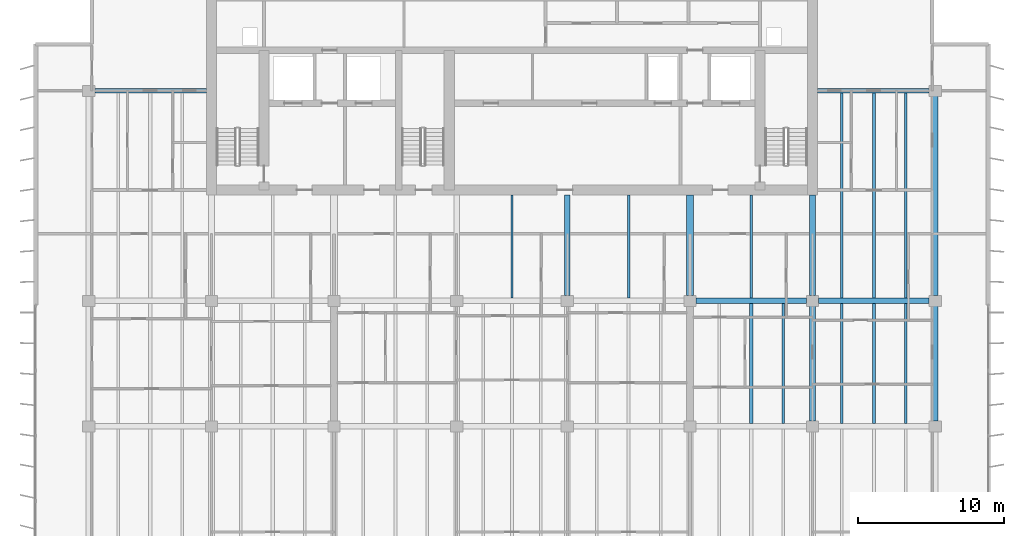
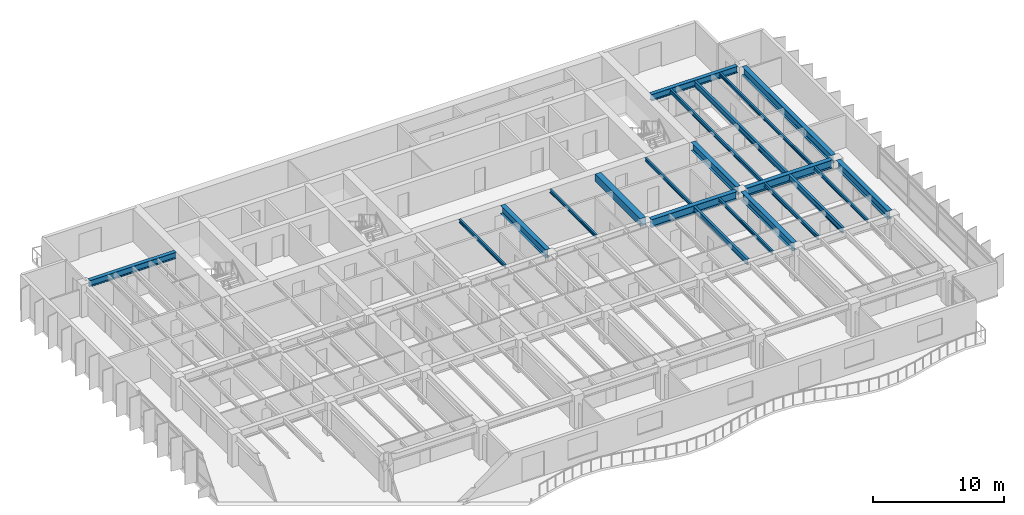
# One storey, part 5 of 17: 21 beams.
"""IFC4 building model written with IfcOpenShell, lengths in metres."""

from ifc_helpers import new_model, si_unit, direction, frame, origin, origin_2d, place, context, subcontext, project, spatial, rectangle, i_section, extrude, material, material_profile, profile_set, type_object, element, save


model = new_model("IFC4")

# Units and contexts
model_context = context("Model", 3, precision=1e-05, world=origin(), true_north=direction((0.0, 1.0)))
body_context = subcontext(model_context, "Body", "Model", "MODEL_VIEW")
ifc_project = project(units=[si_unit("LENGTHUNIT", "METRE"), si_unit("AREAUNIT", "SQUARE_METRE"), si_unit("VOLUMEUNIT", "CUBIC_METRE"), si_unit("PLANEANGLEUNIT", "RADIAN"), si_unit("MASSUNIT", "GRAM", prefix="KILO")], contexts=[model_context])

# Site, building, storey
site_placement = place(None, origin())
site = spatial("IfcSite", under=ifc_project, at=site_placement, CompositionType="ELEMENT")
building_placement = place(site_placement, origin())
building = spatial("IfcBuilding", under=site, at=building_placement, Name="Caelmar Bay Residences", CompositionType="ELEMENT")
storey_placement = place(building_placement, frame((0.0, 0.0, 204.89990234375)))
storey = spatial("IfcBuildingStorey", under=building, at=storey_placement, Name="L57", CompositionType="ELEMENT", Elevation=204.89990234375)

# Beams
ifc_material_1 = material(Name="Steel ASTM A992 Grade 50", Category="steel")
ifc_material_profile_1 = material_profile(ifc_material_1, i_section(OverallWidth=0.381103515625, OverallDepth=0.77197265625, WebThickness=0.0166015625, FlangeThickness=0.027099609375, FilletRadius=0.0166015625, at=origin_2d()), Name="W30X173")
ifc_profile_set_1 = profile_set([ifc_material_profile_1], Name="Steel ASTM A992 Grade 50")
beam_type_1 = type_object("IfcBeamType", Name="BM-GRD-W30X173", PredefinedType="BEAM", material=ifc_profile_set_1)
for number, where, z_axis, x_axis, name in (
    (1, (51.514892578125, 29.39990234375, 2.6640625), (1.0, 0.0, 0.0), (0.0, 1.0, 0.0), "L57 East-West Girder Y=29.40 (51.1-59.5)"),
    (2, (59.9150390625, 29.39990234375, 2.6640625), (1.0, 0.0, 0.0), (0.0, 1.0, 0.0), "L57 East-West Girder Y=29.40 (59.5-67.9)"),
):
    element("IfcBeam", number, at=place(storey_placement, frame(where, z_axis=z_axis, x_axis=x_axis)), inside=storey, type_object=beam_type_1, Name=name, PredefinedType="BEAM", context=body_context, shape_type="SweptSolid", body=[
        extrude(i_section(OverallWidth=0.381103515625, OverallDepth=0.77197265625, WebThickness=0.0166015625, FlangeThickness=0.027099609375, FilletRadius=0.0166015625, at=origin_2d()), origin(), (0.0, 0.0, 1.0), 7.570068359375),
    ])
for number, where, z_axis, x_axis, name in (
    (3, (42.699951171875, 29.764892578125, 2.6640625), (0.0, 1.0, 0.0), (-1.0, 0.0, 0.0), "L57 Core Tie Girder X=42.70"),
    (4, (59.5, 29.764892578125, 2.6640625), (0.0, 1.0, 0.0), (-1.0, 0.0, 0.0), "L57 Core Tie Girder X=59.50"),
):
    element("IfcBeam", number, at=place(storey_placement, frame(where, z_axis=z_axis, x_axis=x_axis)), inside=storey, type_object=beam_type_1, Name=name, PredefinedType="BEAM", context=body_context, shape_type="SweptSolid", body=[
        extrude(i_section(OverallWidth=0.381103515625, OverallDepth=0.77197265625, WebThickness=0.0166015625, FlangeThickness=0.027099609375, FilletRadius=0.0166015625, at=origin_2d()), origin(), (0.0, 0.0, 1.0), 6.885009765625),
    ])
for number, where, z_axis, x_axis, name in (
    (5, (59.5, 21.1650390625, 2.6640625), (0.0, 1.0, 0.0), (-1.0, 0.0, 0.0), "L57 North-South Girder X=59.50 (20.8-29.4)"),
    (6, (67.89990234375, 21.1650390625, 2.6640625), (0.0, 1.0, 0.0), (-1.0, 0.0, 0.0), "L57 North-South Girder X=67.90 (20.8-29.4)"),
):
    element("IfcBeam", number, at=place(storey_placement, frame(where, z_axis=z_axis, x_axis=x_axis)), inside=storey, type_object=beam_type_1, Name=name, PredefinedType="BEAM", context=body_context, shape_type="SweptSolid", body=[
        extrude(i_section(OverallWidth=0.381103515625, OverallDepth=0.77197265625, WebThickness=0.0166015625, FlangeThickness=0.027099609375, FilletRadius=0.0166015625, at=origin_2d()), origin(), (0.0, 0.0, 1.0), 7.869873046875),
    ])
beam_1_placement = place(storey_placement, frame((67.89990234375, 29.764892578125, 2.6640625), z_axis=(0.0, 1.0, 0.0), x_axis=(-1.0, 0.0, 0.0)))
element("IfcBeam", 7, at=beam_1_placement, inside=storey, type_object=beam_type_1, Name="L57 North-South Girder X=67.90 (29.4-43.8)", PredefinedType="BEAM", context=body_context, shape_type="SweptSolid", body=[
    extrude(i_section(OverallWidth=0.381103515625, OverallDepth=0.77197265625, WebThickness=0.0166015625, FlangeThickness=0.027099609375, FilletRadius=0.0166015625, at=origin_2d()), origin(), (0.0, 0.0, 1.0), 13.670166015625),
])
ifc_material_profile_2 = material_profile(ifc_material_1, i_section(OverallWidth=0.1650390625, OverallDepth=0.31005859375, WebThickness=0.005859375, FlangeThickness=0.009765625, FilletRadius=0.007568359375, at=origin_2d()), Name="W12X26")
ifc_profile_set_2 = profile_set([ifc_material_profile_2], Name="Steel ASTM A992 Grade 50")
beam_type_2 = type_object("IfcBeamType", Name="BM-JST-W12X26", PredefinedType="JOIST", material=ifc_profile_set_2)
for number, where, z_axis, x_axis, name in (
    (8, (57.48388671875, 20.990478515625, 2.89501953125), (0.0, 1.0, 0.0), (-1.0, 0.0, 0.0), "L57 Composite Floor Joist 39"),
    (9, (65.884033203125, 20.990478515625, 2.89501953125), (0.0, 1.0, 0.0), (-1.0, 0.0, 0.0), "L57 Composite Floor Joist 42"),
):
    element("IfcBeam", number, at=place(storey_placement, frame(where, z_axis=z_axis, x_axis=x_axis)), inside=storey, type_object=beam_type_2, Name=name, PredefinedType="JOIST", context=body_context, shape_type="SweptSolid", body=[
        extrude(i_section(OverallWidth=0.1650390625, OverallDepth=0.31005859375, WebThickness=0.005859375, FlangeThickness=0.009765625, FilletRadius=0.007568359375, at=origin_2d()), origin(), (0.0, 0.0, 1.0), 8.218994140625),
    ])
for number, where, z_axis, x_axis, name in (
    (10, (38.89990234375, 29.590576171875, 2.89501953125), (0.0, 1.0, 0.0), (-1.0, 0.0, 0.0), "L57 Core-Band Composite Joist 45"),
    (11, (46.89990234375, 29.590576171875, 2.89501953125), (0.0, 1.0, 0.0), (-1.0, 0.0, 0.0), "L57 Core-Band Composite Joist 46"),
    (12, (55.300048828125, 29.590576171875, 2.89501953125), (0.0, 1.0, 0.0), (-1.0, 0.0, 0.0), "L57 Core-Band Composite Joist 47"),
):
    element("IfcBeam", number, at=place(storey_placement, frame(where, z_axis=z_axis, x_axis=x_axis)), inside=storey, type_object=beam_type_2, Name=name, PredefinedType="JOIST", context=body_context, shape_type="SweptSolid", body=[
        extrude(i_section(OverallWidth=0.1650390625, OverallDepth=0.31005859375, WebThickness=0.005859375, FlangeThickness=0.009765625, FilletRadius=0.007568359375, at=origin_2d()), origin(), (0.0, 0.0, 1.0), 7.059326171875),
    ])
beam_2_placement = place(storey_placement, frame((65.884033203125, 29.590576171875, 2.89501953125), z_axis=(0.0, 1.0, 0.0), x_axis=(-1.0, 0.0, 0.0)))
element("IfcBeam", 13, at=beam_2_placement, inside=storey, type_object=beam_type_2, Name="L57 Composite Floor Joist 53", PredefinedType="JOIST", context=body_context, shape_type="SweptSolid", body=[
    extrude(i_section(OverallWidth=0.1650390625, OverallDepth=0.31005859375, WebThickness=0.005859375, FlangeThickness=0.009765625, FilletRadius=0.007568359375, at=origin_2d()), origin(), (0.0, 0.0, 1.0), 14.046875),
])
ifc_material_profile_3 = material_profile(ifc_material_1, i_section(OverallWidth=0.1708984375, OverallDepth=0.35595703125, WebThickness=0.007080078125, FlangeThickness=0.01171875, FilletRadius=0.007568359375, at=origin_2d()), Name="W14X34")
ifc_profile_set_3 = profile_set([ifc_material_profile_3], Name="Steel ASTM A992 Grade 50")
beam_type_3 = type_object("IfcBeamType", Name="BM-JST-W14X34", PredefinedType="JOIST", material=ifc_profile_set_3)
beam_3_placement = place(storey_placement, frame((61.51611328125, 20.990478515625, 2.8720703125), z_axis=(0.0, 1.0, 0.0), x_axis=(-1.0, 0.0, 0.0)))
element("IfcBeam", 14, at=beam_3_placement, inside=storey, type_object=beam_type_3, Name="L57 Composite Floor Joist 40", PredefinedType="JOIST", context=body_context, shape_type="SweptSolid", body=[
    extrude(i_section(OverallWidth=0.1708984375, OverallDepth=0.35595703125, WebThickness=0.007080078125, FlangeThickness=0.01171875, FilletRadius=0.007568359375, at=origin_2d()), origin(), (0.0, 0.0, 1.0), 8.218994140625),
])
beam_4_placement = place(storey_placement, frame((61.51611328125, 29.590576171875, 2.8720703125), z_axis=(0.0, 1.0, 0.0), x_axis=(-1.0, 0.0, 0.0)))
element("IfcBeam", 15, at=beam_4_placement, inside=storey, type_object=beam_type_3, Name="L57 Composite Floor Joist 51", PredefinedType="JOIST", context=body_context, shape_type="SweptSolid", body=[
    extrude(i_section(OverallWidth=0.1708984375, OverallDepth=0.35595703125, WebThickness=0.007080078125, FlangeThickness=0.01171875, FilletRadius=0.007568359375, at=origin_2d()), origin(), (0.0, 0.0, 1.0), 14.046875),
])
ifc_material_profile_4 = material_profile(ifc_material_1, i_section(OverallWidth=0.2099609375, OverallDepth=0.535888671875, WebThickness=0.010986328125, FlangeThickness=0.017333984375, FilletRadius=0.0126953125, at=origin_2d()), Name="W21X68")
ifc_profile_set_4 = profile_set([ifc_material_profile_4], Name="Steel ASTM A992 Grade 50")
beam_type_4 = type_object("IfcBeamType", Name="BM-JST-W21X68", PredefinedType="JOIST", material=ifc_profile_set_4)
for number, where, z_axis, x_axis, name in (
    (16, (55.300048828125, 20.990478515625, 2.781982421875), (0.0, 1.0, 0.0), (-1.0, 0.0, 0.0), "L57 Composite Floor Joist 38"),
    (17, (63.699951171875, 20.990478515625, 2.781982421875), (0.0, 1.0, 0.0), (-1.0, 0.0, 0.0), "L57 Composite Floor Joist 41"),
):
    element("IfcBeam", number, at=place(storey_placement, frame(where, z_axis=z_axis, x_axis=x_axis)), inside=storey, type_object=beam_type_4, Name=name, PredefinedType="JOIST", context=body_context, shape_type="SweptSolid", body=[
        extrude(i_section(OverallWidth=0.2099609375, OverallDepth=0.535888671875, WebThickness=0.010986328125, FlangeThickness=0.017333984375, FilletRadius=0.0126953125, at=origin_2d()), origin(), (0.0, 0.0, 1.0), 8.218994140625),
    ])
beam_5_placement = place(storey_placement, frame((63.699951171875, 29.590576171875, 2.781982421875), z_axis=(0.0, 1.0, 0.0), x_axis=(-1.0, 0.0, 0.0)))
element("IfcBeam", 18, at=beam_5_placement, inside=storey, type_object=beam_type_4, Name="L57 Composite Floor Joist 52", PredefinedType="JOIST", context=body_context, shape_type="SweptSolid", body=[
    extrude(i_section(OverallWidth=0.2099609375, OverallDepth=0.535888671875, WebThickness=0.010986328125, FlangeThickness=0.017333984375, FilletRadius=0.0126953125, at=origin_2d()), origin(), (0.0, 0.0, 1.0), 14.046875),
])
ifc_material_2 = material(Name="Concrete f'c 55 MPa (8,000 psi)", Category="concrete")
ifc_material_profile_5 = material_profile(ifc_material_2, rectangle(XDim=0.5, YDim=0.699951171875, at=origin_2d()), Name="RC-BM-500X700")
ifc_profile_set_5 = profile_set([ifc_material_profile_5], Name="Concrete f'c 55 MPa (8,000 psi)")
beam_type_5 = type_object("IfcBeamType", Name="BM-RC-500X700", PredefinedType="LINTEL", material=ifc_profile_set_5)
beam_6_placement = place(storey_placement, frame((51.10009765625, 29.764892578125, 2.7001953125), z_axis=(0.0, 1.0, 0.0), x_axis=(-1.0, 0.0, 0.0)))
element("IfcBeam", 19, at=beam_6_placement, inside=storey, type_object=beam_type_5, Name="L57 Shear-Wall Corridor Coupling Lintel E8", PredefinedType="LINTEL", context=body_context, shape_type="SweptSolid", body=[
    extrude(rectangle(XDim=0.5, YDim=0.699951171875, at=origin_2d()), origin(), (0.0, 0.0, 1.0), 6.885009765625),
])
ifc_material_profile_6 = material_profile(ifc_material_1, i_section(OverallWidth=0.324951171875, OverallDepth=0.616943359375, WebThickness=0.013916015625, FlangeThickness=0.021484375, FilletRadius=0.0126953125, at=origin_2d()), Name="W24X117")
ifc_profile_set_6 = profile_set([ifc_material_profile_6], Name="Steel ASTM A992 Grade 50")
beam_type_6 = type_object("IfcBeamType", Name="BM-SPN-W24X117", PredefinedType="SPANDREL", material=ifc_profile_set_6)
for number, where, z_axis, x_axis, name in (
    (20, (10.31494140625, 43.800048828125, 2.74169921875), (1.0, 0.0, 0.0), (0.0, 1.0, 0.0), "L57 North-West Wing Core Tie Girder"),
    (21, (59.85009765625, 43.800048828125, 2.74169921875), (1.0, 0.0, 0.0), (0.0, 1.0, 0.0), "L57 North-East Wing Core Tie Girder"),
):
    element("IfcBeam", number, at=place(storey_placement, frame(where, z_axis=z_axis, x_axis=x_axis)), inside=storey, type_object=beam_type_6, Name=name, PredefinedType="SPANDREL", context=body_context, shape_type="SweptSolid", body=[
        extrude(i_section(OverallWidth=0.324951171875, OverallDepth=0.616943359375, WebThickness=0.013916015625, FlangeThickness=0.021484375, FilletRadius=0.0126953125, at=origin_2d()), origin(), (0.0, 0.0, 1.0), 7.635009765625),
    ])

save(model, "model.ifc")
